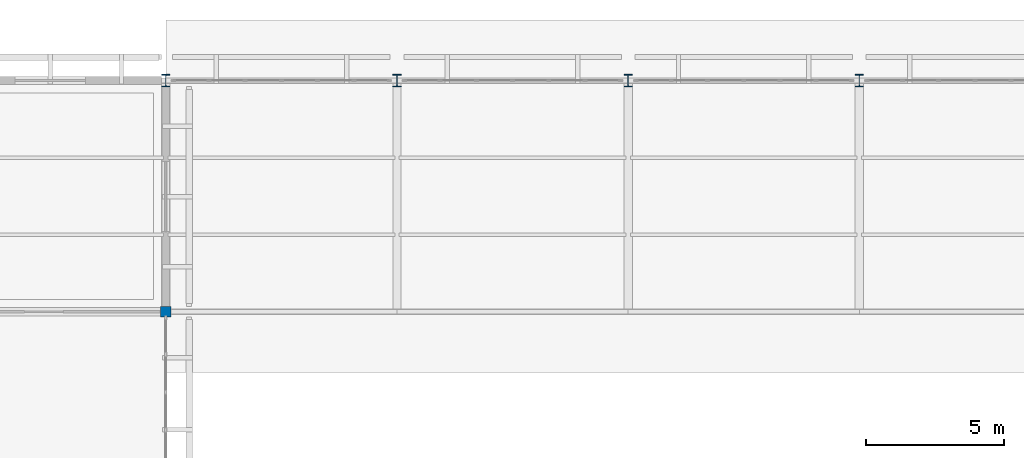
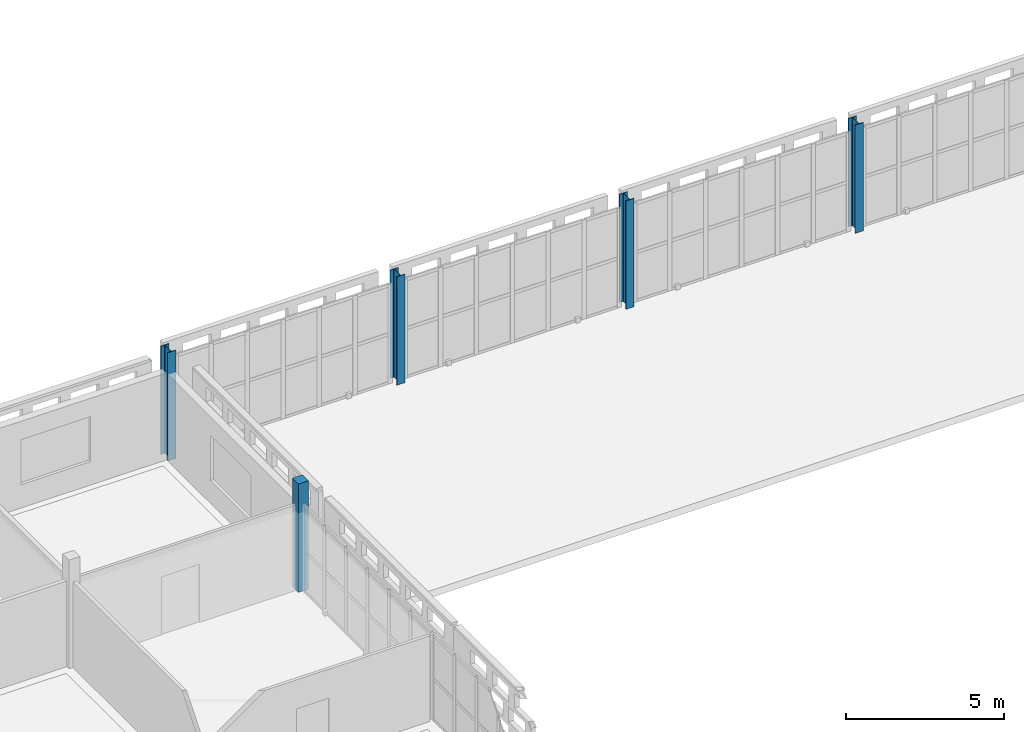
# One storey, part 9 of 166: 5 columns.
"""IFC4 building model written with IfcOpenShell, lengths in metres."""

from ifc_helpers import new_model, si_unit, direction, frame, origin, origin_2d, place, context, subcontext, project, spatial, rectangle, i_section, extrude, material, material_profile, profile_set, type_object, element, save


model = new_model("IFC4")

# Units and contexts
model_context = context("Model", 3, precision=1e-05, world=origin(), true_north=direction((0.0, 1.0)))
body_context = subcontext(model_context, "Body", "Model", "MODEL_VIEW")
ifc_project = project(units=[si_unit("LENGTHUNIT", "METRE"), si_unit("AREAUNIT", "SQUARE_METRE"), si_unit("VOLUMEUNIT", "CUBIC_METRE"), si_unit("PLANEANGLEUNIT", "RADIAN"), si_unit("MASSUNIT", "GRAM", prefix="KILO")], contexts=[model_context])

# Site, building, storey
site_placement = place(None, origin())
site = spatial("IfcSite", under=ifc_project, at=site_placement, CompositionType="ELEMENT")
building_placement = place(site_placement, origin())
building = spatial("IfcBuilding", under=site, at=building_placement, Name="Varnapada Polytechnic", CompositionType="ELEMENT")
storey_placement = place(building_placement, frame((0.0, 0.0, 9.60009765625)))
storey = spatial("IfcBuildingStorey", under=building, at=storey_placement, Name="L02", CompositionType="ELEMENT", Elevation=9.60009765625)

# Columns
ifc_material_1 = material(Name="Steel S355", Category="steel")
ifc_material_profile_1 = material_profile(ifc_material_1, i_section(OverallWidth=0.300048828125, OverallDepth=0.449951171875, WebThickness=0.013916015625, FlangeThickness=0.02587890625, FilletRadius=0.027099609375, at=origin_2d()), Name="HEB 450")
ifc_profile_set_1 = profile_set([ifc_material_profile_1], Name="Steel S355")
column_type_1 = type_object("IfcColumnType", Name="Column C-07 (HEB 450)", PredefinedType="COLUMN", material=ifc_profile_set_1)
for number, where, z_axis, x_axis, name in (
    (1, (67.199951171875, 126.0, 0.0), (0.0, 0.0, 1.0), (1.0, 0.0, 0.0), "L02 column 9/16"),
    (2, (75.60009765625, 126.0, 0.0), (0.0, 0.0, 1.0), (1.0, 0.0, 0.0), "L02 column 10/16"),
    (3, (84.0, 126.0, 0.0), (0.0, 0.0, 1.0), (1.0, 0.0, 0.0), "L02 column 11/16"),
    (4, (92.39990234375, 126.0, 0.0), (0.0, 0.0, 1.0), (1.0, 0.0, 0.0), "L02 column 12/16"),
):
    element("IfcColumn", number, at=place(storey_placement, frame(where, z_axis=z_axis, x_axis=x_axis)), inside=storey, type_object=column_type_1, Name=name, PredefinedType="COLUMN", context=body_context, shape_type="SweptSolid", body=[
        extrude(i_section(OverallWidth=0.300048828125, OverallDepth=0.449951171875, WebThickness=0.013916015625, FlangeThickness=0.02587890625, FilletRadius=0.027099609375, at=origin_2d()), origin(), (0.0, 0.0, 1.0), 4.199951171875),
    ])
ifc_material_2 = material(Name="Glulam GL32h", Category="wood")
ifc_material_profile_2 = material_profile(ifc_material_2, rectangle(XDim=0.3798828125, YDim=0.3798828125, at=origin_2d()), Name="GL 380x380")
ifc_profile_set_2 = profile_set([ifc_material_profile_2], Name="Glulam GL32h")
column_type_2 = type_object("IfcColumnType", Name="Column C-24 (GL 380x380)", PredefinedType="COLUMN", material=ifc_profile_set_2)
column_placement = place(storey_placement, frame((67.199951171875, 117.60009765625, 0.0), z_axis=(0.0, 0.0, 1.0), x_axis=(1.0, 0.0, 0.0)))
element("IfcColumn", 5, at=column_placement, inside=storey, type_object=column_type_2, Name="L02 column 9/15", PredefinedType="COLUMN", context=body_context, shape_type="SweptSolid", body=[
    extrude(rectangle(XDim=0.3798828125, YDim=0.3798828125, at=origin_2d()), origin(), (0.0, 0.0, 1.0), 4.199951171875),
])

save(model, "model.ifc")
